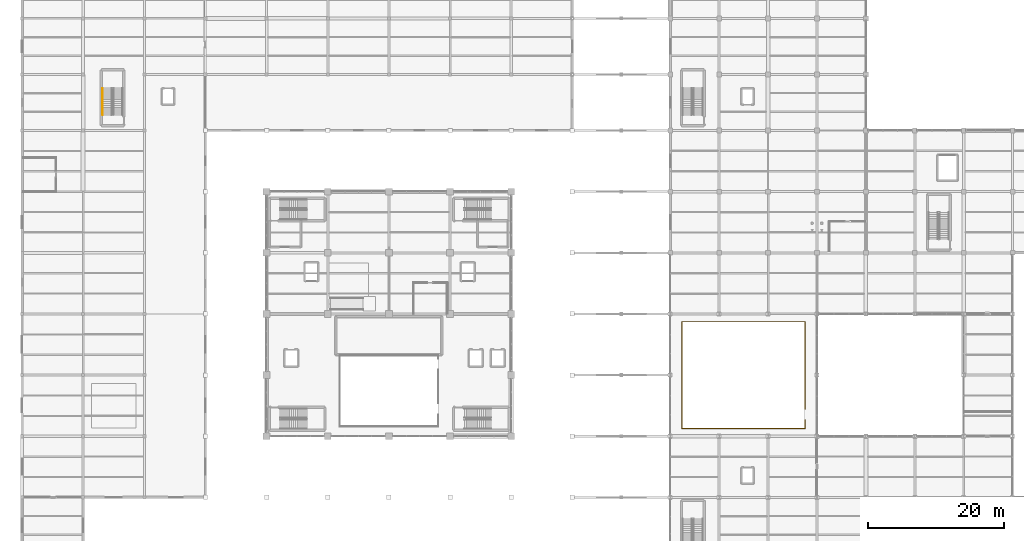
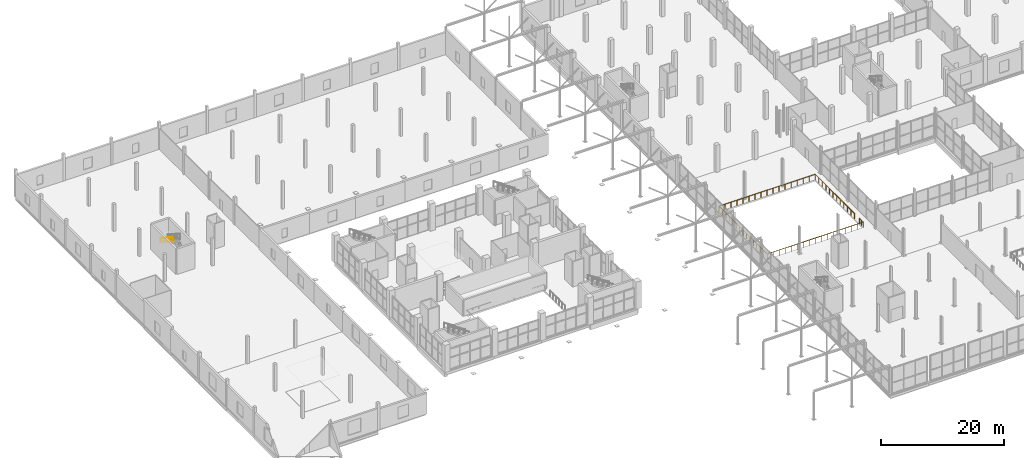
# One storey, part 142 of 147: 2 railings.
"""IFC4 building model written with IfcOpenShell, lengths in metres."""

from ifc_helpers import new_model, si_unit, direction, frame, origin, origin_2d, place, context, subcontext, project, spatial, circle, extrude, material, type_object, element, save


model = new_model("IFC4")

# Units and contexts
model_context = context("Model", 3, precision=1e-05, world=origin(), true_north=direction((0.0, 1.0)))
body_context = subcontext(model_context, "Body", "Model", "MODEL_VIEW")
ifc_project = project(units=[si_unit("LENGTHUNIT", "METRE"), si_unit("AREAUNIT", "SQUARE_METRE"), si_unit("VOLUMEUNIT", "CUBIC_METRE"), si_unit("PLANEANGLEUNIT", "RADIAN"), si_unit("MASSUNIT", "GRAM", prefix="KILO")], contexts=[model_context])

# Site, building, storey
site_placement = place(None, origin())
site = spatial("IfcSite", under=ifc_project, at=site_placement, CompositionType="ELEMENT")
building_placement = place(site_placement, origin())
building = spatial("IfcBuilding", under=site, at=building_placement, Name="Sundgate Opera House", CompositionType="ELEMENT")
storey_placement = place(building_placement, frame((0.0, 0.0, 6.0)))
storey = spatial("IfcBuildingStorey", under=building, at=storey_placement, Name="L01", CompositionType="ELEMENT", Elevation=6.0)

# Railings
ifc_material_1 = material(Name="Painted steel S275 guardrail", Category="steel")
railing_type_1 = type_object("IfcRailingType", Name="RL-STAIR-GUARD-1100", PredefinedType="GUARDRAIL", material=ifc_material_1)
railing_1_placement = place(storey_placement, frame((115.25, 44.39990234375, 0.0)))
element("IfcRailing", 1, at=railing_1_placement, inside=storey, type_object=railing_type_1, Name="L01 Interior Guardrail RL0290", PredefinedType="GUARDRAIL", context=body_context, shape_type="SweptSolid", body=[
    extrude(circle(Radius=0.02392578125, at=origin_2d()), frame((0.0, 0.0, 1.076171875), z_axis=(0.0, -1.0, 0.0), x_axis=(1.0, 0.0, 0.0)), (0.0, 0.0, 1.0), 1.25),
    extrude(circle(Radius=0.02392578125, at=origin_2d()), frame((0.0, -1.25, 1.076171875), z_axis=(-1.0, 0.0, 0.0), x_axis=(0.0, -1.0, 0.0)), (0.0, 0.0, 1.0), 18.10009765625),
    extrude(circle(Radius=0.02392578125, at=origin_2d()), frame((-18.10009765625, -1.25, 1.076171875), z_axis=(0.0, 1.0, 0.0), x_axis=(-1.0, 0.0, 0.0)), (0.0, 0.0, 1.0), 15.7001953125),
    extrude(circle(Radius=0.02392578125, at=origin_2d()), frame((-18.10009765625, 14.4501953125, 1.076171875), z_axis=(1.0, 0.0, 0.0), x_axis=(0.0, 1.0, 0.0)), (0.0, 0.0, 1.0), 18.10009765625),
    extrude(circle(Radius=0.02392578125, at=origin_2d()), frame((0.0, 14.4501953125, 1.076171875), z_axis=(0.0, -1.0, 0.0), x_axis=(1.0, 0.0, 0.0)), (0.0, 0.0, 1.0), 12.85009765625),
    extrude(circle(Radius=0.02099609375, at=origin_2d()), origin(), (0.0, 0.0, 1.0), 1.052001953125),
    extrude(circle(Radius=0.02099609375, at=origin_2d()), frame((0.0, -0.625, 0.0)), (0.0, 0.0, 1.0), 1.052001953125),
    extrude(circle(Radius=0.02099609375, at=origin_2d()), frame((0.0, -1.25, 0.0)), (0.0, 0.0, 1.0), 1.052001953125),
    extrude(circle(Radius=0.02099609375, at=origin_2d()), frame((-1.13134765625, -1.25, 0.0)), (0.0, 0.0, 1.0), 1.052001953125),
    extrude(circle(Radius=0.02099609375, at=origin_2d()), frame((-2.262451171875, -1.25, 0.0)), (0.0, 0.0, 1.0), 1.052001953125),
    extrude(circle(Radius=0.02099609375, at=origin_2d()), frame((-3.393798828125, -1.25, 0.0)), (0.0, 0.0, 1.0), 1.052001953125),
    extrude(circle(Radius=0.02099609375, at=origin_2d()), frame((-4.52490234375, -1.25, 0.0)), (0.0, 0.0, 1.0), 1.052001953125),
    extrude(circle(Radius=0.02099609375, at=origin_2d()), frame((-5.65625, -1.25, 0.0)), (0.0, 0.0, 1.0), 1.052001953125),
    extrude(circle(Radius=0.02099609375, at=origin_2d()), frame((-6.78759765625, -1.25, 0.0)), (0.0, 0.0, 1.0), 1.052001953125),
    extrude(circle(Radius=0.02099609375, at=origin_2d()), frame((-7.918701171875, -1.25, 0.0)), (0.0, 0.0, 1.0), 1.052001953125),
    extrude(circle(Radius=0.02099609375, at=origin_2d()), frame((-9.050048828125, -1.25, 0.0)), (0.0, 0.0, 1.0), 1.052001953125),
    extrude(circle(Radius=0.02099609375, at=origin_2d()), frame((-10.181396484375, -1.25, 0.0)), (0.0, 0.0, 1.0), 1.052001953125),
    extrude(circle(Radius=0.02099609375, at=origin_2d()), frame((-11.3125, -1.25, 0.0)), (0.0, 0.0, 1.0), 1.052001953125),
    extrude(circle(Radius=0.02099609375, at=origin_2d()), frame((-12.44384765625, -1.25, 0.0)), (0.0, 0.0, 1.0), 1.052001953125),
    extrude(circle(Radius=0.02099609375, at=origin_2d()), frame((-13.5751953125, -1.25, 0.0)), (0.0, 0.0, 1.0), 1.052001953125),
    extrude(circle(Radius=0.02099609375, at=origin_2d()), frame((-14.706298828125, -1.25, 0.0)), (0.0, 0.0, 1.0), 1.052001953125),
    extrude(circle(Radius=0.02099609375, at=origin_2d()), frame((-15.837646484375, -1.25, 0.0)), (0.0, 0.0, 1.0), 1.052001953125),
    extrude(circle(Radius=0.02099609375, at=origin_2d()), frame((-16.96875, -1.25, 0.0)), (0.0, 0.0, 1.0), 1.052001953125),
    extrude(circle(Radius=0.02099609375, at=origin_2d()), frame((-18.10009765625, -1.25, 0.0)), (0.0, 0.0, 1.0), 1.052001953125),
    extrude(circle(Radius=0.02099609375, at=origin_2d()), frame((-18.10009765625, -0.128662109375, 0.0)), (0.0, 0.0, 1.0), 1.052001953125),
    extrude(circle(Radius=0.02099609375, at=origin_2d()), frame((-18.10009765625, 0.992919921875, 0.0)), (0.0, 0.0, 1.0), 1.052001953125),
    extrude(circle(Radius=0.02099609375, at=origin_2d()), frame((-18.10009765625, 2.1142578125, 0.0)), (0.0, 0.0, 1.0), 1.052001953125),
    extrude(circle(Radius=0.02099609375, at=origin_2d()), frame((-18.10009765625, 3.23583984375, 0.0)), (0.0, 0.0, 1.0), 1.052001953125),
    extrude(circle(Radius=0.02099609375, at=origin_2d()), frame((-18.10009765625, 4.357177734375, 0.0)), (0.0, 0.0, 1.0), 1.052001953125),
    extrude(circle(Radius=0.02099609375, at=origin_2d()), frame((-18.10009765625, 5.478759765625, 0.0)), (0.0, 0.0, 1.0), 1.052001953125),
    extrude(circle(Radius=0.02099609375, at=origin_2d()), frame((-18.10009765625, 6.60009765625, 0.0)), (0.0, 0.0, 1.0), 1.052001953125),
    extrude(circle(Radius=0.02099609375, at=origin_2d()), frame((-18.10009765625, 7.721435546875, 0.0)), (0.0, 0.0, 1.0), 1.052001953125),
    extrude(circle(Radius=0.02099609375, at=origin_2d()), frame((-18.10009765625, 8.843017578125, 0.0)), (0.0, 0.0, 1.0), 1.052001953125),
    extrude(circle(Radius=0.02099609375, at=origin_2d()), frame((-18.10009765625, 9.96435546875, 0.0)), (0.0, 0.0, 1.0), 1.052001953125),
    extrude(circle(Radius=0.02099609375, at=origin_2d()), frame((-18.10009765625, 11.0859375, 0.0)), (0.0, 0.0, 1.0), 1.052001953125),
    extrude(circle(Radius=0.02099609375, at=origin_2d()), frame((-18.10009765625, 12.207275390625, 0.0)), (0.0, 0.0, 1.0), 1.052001953125),
    extrude(circle(Radius=0.02099609375, at=origin_2d()), frame((-18.10009765625, 13.328857421875, 0.0)), (0.0, 0.0, 1.0), 1.052001953125),
    extrude(circle(Radius=0.02099609375, at=origin_2d()), frame((-18.10009765625, 14.4501953125, 0.0)), (0.0, 0.0, 1.0), 1.052001953125),
    extrude(circle(Radius=0.02099609375, at=origin_2d()), frame((-16.96875, 14.4501953125, 0.0)), (0.0, 0.0, 1.0), 1.052001953125),
    extrude(circle(Radius=0.02099609375, at=origin_2d()), frame((-15.837646484375, 14.4501953125, 0.0)), (0.0, 0.0, 1.0), 1.052001953125),
    extrude(circle(Radius=0.02099609375, at=origin_2d()), frame((-14.706298828125, 14.4501953125, 0.0)), (0.0, 0.0, 1.0), 1.052001953125),
    extrude(circle(Radius=0.02099609375, at=origin_2d()), frame((-13.5751953125, 14.4501953125, 0.0)), (0.0, 0.0, 1.0), 1.052001953125),
    extrude(circle(Radius=0.02099609375, at=origin_2d()), frame((-12.44384765625, 14.4501953125, 0.0)), (0.0, 0.0, 1.0), 1.052001953125),
    extrude(circle(Radius=0.02099609375, at=origin_2d()), frame((-11.3125, 14.4501953125, 0.0)), (0.0, 0.0, 1.0), 1.052001953125),
    extrude(circle(Radius=0.02099609375, at=origin_2d()), frame((-10.181396484375, 14.4501953125, 0.0)), (0.0, 0.0, 1.0), 1.052001953125),
    extrude(circle(Radius=0.02099609375, at=origin_2d()), frame((-9.050048828125, 14.4501953125, 0.0)), (0.0, 0.0, 1.0), 1.052001953125),
    extrude(circle(Radius=0.02099609375, at=origin_2d()), frame((-7.918701171875, 14.4501953125, 0.0)), (0.0, 0.0, 1.0), 1.052001953125),
    extrude(circle(Radius=0.02099609375, at=origin_2d()), frame((-6.78759765625, 14.4501953125, 0.0)), (0.0, 0.0, 1.0), 1.052001953125),
    extrude(circle(Radius=0.02099609375, at=origin_2d()), frame((-5.65625, 14.4501953125, 0.0)), (0.0, 0.0, 1.0), 1.052001953125),
    extrude(circle(Radius=0.02099609375, at=origin_2d()), frame((-4.52490234375, 14.4501953125, 0.0)), (0.0, 0.0, 1.0), 1.052001953125),
    extrude(circle(Radius=0.02099609375, at=origin_2d()), frame((-3.393798828125, 14.4501953125, 0.0)), (0.0, 0.0, 1.0), 1.052001953125),
    extrude(circle(Radius=0.02099609375, at=origin_2d()), frame((-2.262451171875, 14.4501953125, 0.0)), (0.0, 0.0, 1.0), 1.052001953125),
    extrude(circle(Radius=0.02099609375, at=origin_2d()), frame((-1.13134765625, 14.4501953125, 0.0)), (0.0, 0.0, 1.0), 1.052001953125),
    extrude(circle(Radius=0.02099609375, at=origin_2d()), frame((0.0, 14.4501953125, 0.0)), (0.0, 0.0, 1.0), 1.052001953125),
    extrude(circle(Radius=0.02099609375, at=origin_2d()), frame((0.0, 13.281982421875, 0.0)), (0.0, 0.0, 1.0), 1.052001953125),
    extrude(circle(Radius=0.02099609375, at=origin_2d()), frame((0.0, 12.11376953125, 0.0)), (0.0, 0.0, 1.0), 1.052001953125),
    extrude(circle(Radius=0.02099609375, at=origin_2d()), frame((0.0, 10.945556640625, 0.0)), (0.0, 0.0, 1.0), 1.052001953125),
    extrude(circle(Radius=0.02099609375, at=origin_2d()), frame((0.0, 9.77734375, 0.0)), (0.0, 0.0, 1.0), 1.052001953125),
    extrude(circle(Radius=0.02099609375, at=origin_2d()), frame((0.0, 8.609130859375, 0.0)), (0.0, 0.0, 1.0), 1.052001953125),
    extrude(circle(Radius=0.02099609375, at=origin_2d()), frame((0.0, 7.441162109375, 0.0)), (0.0, 0.0, 1.0), 1.052001953125),
    extrude(circle(Radius=0.02099609375, at=origin_2d()), frame((0.0, 6.27294921875, 0.0)), (0.0, 0.0, 1.0), 1.052001953125),
    extrude(circle(Radius=0.02099609375, at=origin_2d()), frame((0.0, 5.104736328125, 0.0)), (0.0, 0.0, 1.0), 1.052001953125),
    extrude(circle(Radius=0.02099609375, at=origin_2d()), frame((0.0, 3.9365234375, 0.0)), (0.0, 0.0, 1.0), 1.052001953125),
    extrude(circle(Radius=0.02099609375, at=origin_2d()), frame((0.0, 2.768310546875, 0.0)), (0.0, 0.0, 1.0), 1.052001953125),
    extrude(circle(Radius=0.02099609375, at=origin_2d()), frame((0.0, 1.60009765625, 0.0)), (0.0, 0.0, 1.0), 1.052001953125),
])
ifc_material_2 = material(Name="Brushed stainless steel handrail", Category="steel")
railing_type_2 = type_object("IfcRailingType", Name="RL-STAIR-HAND-900", PredefinedType="HANDRAIL", material=ifc_material_2)
railing_2_placement = place(storey_placement, frame((11.85009765625, 93.219970703125, 2.8798828125)))
element("IfcRailing", 2, at=railing_2_placement, inside=storey, type_object=railing_type_2, Name="ST08L01 Handrail RL0268", PredefinedType="HANDRAIL", context=body_context, shape_type="SweptSolid", body=[
    extrude(circle(Radius=0.02392578125, at=origin_2d()), frame((0.0, 0.0, 0.8759765625), z_axis=(0.0, -0.841171666519, 0.540768182723), x_axis=(1.0, 0.0, 0.0)), (0.0, 0.0, 1.0), 4.66015625),
    extrude(circle(Radius=0.02099609375, at=origin_2d()), origin(), (0.0, 0.0, 1.0), 0.851806640625),
    extrude(circle(Radius=0.02099609375, at=origin_2d()), frame((0.0, -0.97998046875, 0.6298828125)), (0.0, 0.0, 1.0), 0.851806640625),
    extrude(circle(Radius=0.02099609375, at=origin_2d()), frame((0.0, -1.9599609375, 1.260009765625)), (0.0, 0.0, 1.0), 0.851806640625),
    extrude(circle(Radius=0.02099609375, at=origin_2d()), frame((0.0, -2.93994140625, 1.89013671875)), (0.0, 0.0, 1.0), 0.851806640625),
    extrude(circle(Radius=0.02099609375, at=origin_2d()), frame((0.0, -3.919921875, 2.52001953125)), (0.0, 0.0, 1.0), 0.851806640625),
])

save(model, "model.ifc")
